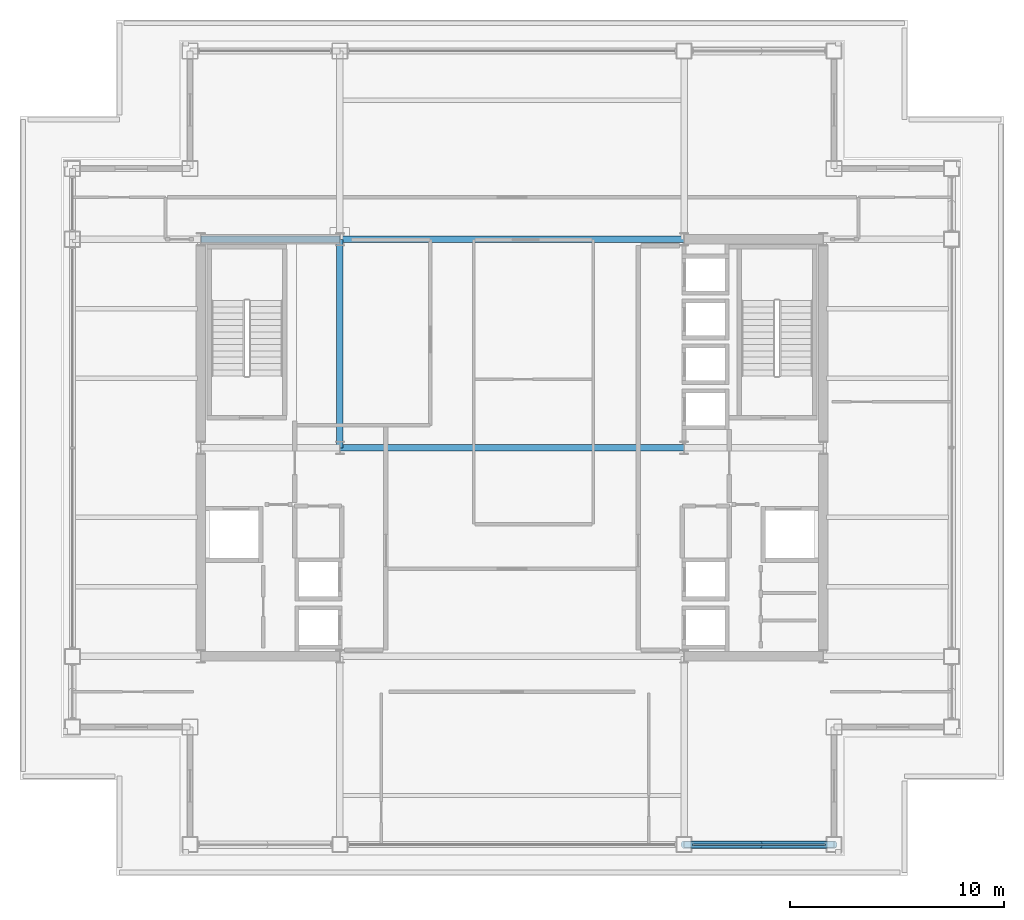
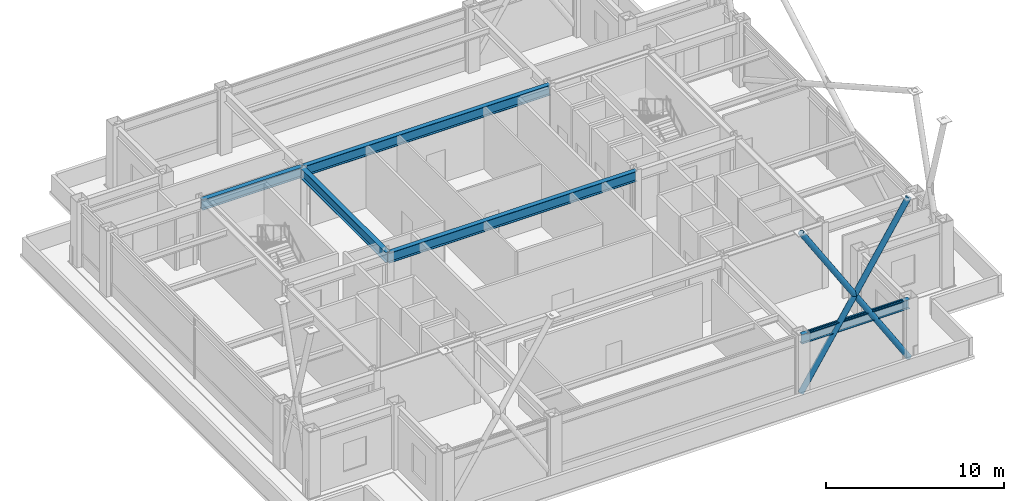
# One storey, part 9 of 24: 5 beams, 4 members, 1 element without a shape of its own.
"""IFC4 building model written with IfcOpenShell, lengths in metres."""

from ifc_helpers import new_model, si_unit, direction, frame, origin, origin_2d, place, context, subcontext, project, spatial, hollow_rectangle, hollow_circle, i_section, extrude, material, layer, layer_set, material_profile, profile_set, type_object, element, aggregate, save


model = new_model("IFC4")

# Units and contexts
model_context = context("Model", 3, precision=1e-05, world=origin(), true_north=direction((0.0, 1.0)))
body_context = subcontext(model_context, "Body", "Model", "MODEL_VIEW")
ifc_project = project(units=[si_unit("LENGTHUNIT", "METRE"), si_unit("AREAUNIT", "SQUARE_METRE"), si_unit("VOLUMEUNIT", "CUBIC_METRE"), si_unit("PLANEANGLEUNIT", "RADIAN"), si_unit("MASSUNIT", "GRAM", prefix="KILO")], contexts=[model_context])

# Site, building, storey
site_placement = place(None, origin())
site = spatial("IfcSite", under=ifc_project, at=site_placement, CompositionType="ELEMENT")
building_placement = place(site_placement, origin())
building = spatial("IfcBuilding", under=site, at=building_placement, Name="Brelmoor Portico Tower", CompositionType="ELEMENT")
storey_placement = place(building_placement, frame((0.0, 0.0, 150.60009765625)))
storey = spatial("IfcBuildingStorey", under=building, at=storey_placement, Name="L39", CompositionType="ELEMENT", Elevation=150.60009765625)

# Beams
ifc_material_1 = material(Name="Steel Q355B", Category="steel")
ifc_material_profile_1 = material_profile(ifc_material_1, i_section(OverallWidth=0.300048828125, OverallDepth=0.699951171875, WebThickness=0.012939453125, FlangeThickness=0.02392578125, at=origin_2d()), Name="HN 700x300x13x24")
ifc_profile_set_1 = profile_set([ifc_material_profile_1], Name="Steel Q355B")
beam_type_1 = type_object("IfcBeamType", Name="BM-PG-700", PredefinedType="BEAM", material=ifc_profile_set_1)
beam_1_placement = place(storey_placement, frame((-8.050048828125, 0.0, 3.949951171875), z_axis=(0.0, 1.0, 0.0), x_axis=(-1.0, 0.0, 0.0)))
element("IfcBeam", 1, at=beam_1_placement, inside=storey, type_object=beam_type_1, Name="L39 Primary Floor Girder PG-04", PredefinedType="BEAM", context=body_context, shape_type="SweptSolid", body=[
    extrude(i_section(OverallWidth=0.300048828125, OverallDepth=0.699951171875, WebThickness=0.012939453125, FlangeThickness=0.02392578125, at=origin_2d()), origin(), (0.0, 0.0, 1.0), 9.75),
])
beam_2_placement = place(storey_placement, frame((-8.050048828125, 0.0, 3.949951171875), z_axis=(1.0, 0.0, 0.0), x_axis=(0.0, 1.0, 0.0)))
element("IfcBeam", 2, at=beam_2_placement, inside=storey, type_object=beam_type_1, Name="L39 Primary Floor Girder PG-16", PredefinedType="BEAM", context=body_context, shape_type="SweptSolid", body=[
    extrude(i_section(OverallWidth=0.300048828125, OverallDepth=0.699951171875, WebThickness=0.012939453125, FlangeThickness=0.02392578125, at=origin_2d()), origin(), (0.0, 0.0, 1.0), 16.10009765625),
])
beam_3_placement = place(storey_placement, frame((-14.550048828125, 9.75, 3.949951171875), z_axis=(1.0, 0.0, 0.0), x_axis=(0.0, 1.0, 0.0)))
element("IfcBeam", 3, at=beam_3_placement, inside=storey, type_object=beam_type_1, Name="L39 Primary Floor Girder PG-19", PredefinedType="BEAM", context=body_context, shape_type="SweptSolid", body=[
    extrude(i_section(OverallWidth=0.300048828125, OverallDepth=0.699951171875, WebThickness=0.012939453125, FlangeThickness=0.02392578125, at=origin_2d()), origin(), (0.0, 0.0, 1.0), 6.5),
])
beam_4_placement = place(storey_placement, frame((-8.050048828125, 9.75, 3.949951171875), z_axis=(1.0, 0.0, 0.0), x_axis=(0.0, 1.0, 0.0)))
element("IfcBeam", 4, at=beam_4_placement, inside=storey, type_object=beam_type_1, Name="L39 Primary Floor Girder PG-20", PredefinedType="BEAM", context=body_context, shape_type="SweptSolid", body=[
    extrude(i_section(OverallWidth=0.300048828125, OverallDepth=0.699951171875, WebThickness=0.012939453125, FlangeThickness=0.02392578125, at=origin_2d()), origin(), (0.0, 0.0, 1.0), 16.10009765625),
])
ifc_material_profile_2 = material_profile(ifc_material_1, i_section(OverallWidth=0.280029296875, OverallDepth=0.64990234375, WebThickness=0.012939453125, FlangeThickness=0.02197265625, at=origin_2d()), Name="HN 650x280x13x22")
ifc_profile_set_2 = profile_set([ifc_material_profile_2], Name="Steel Q355B")
beam_type_2 = type_object("IfcBeamType", Name="BM-SP-650", PredefinedType="SPANDREL", material=ifc_profile_set_2)
beam_5_placement = place(storey_placement, frame((8.050048828125, -18.550048828125, 3.974853515625), z_axis=(1.0, 0.0, 0.0), x_axis=(0.0, 1.0, 0.0)))
element("IfcBeam", 5, at=beam_5_placement, inside=storey, type_object=beam_type_2, Name="L39 Perimeter Spandrel Beam SP-03", PredefinedType="SPANDREL", context=body_context, shape_type="SweptSolid", body=[
    extrude(i_section(OverallWidth=0.280029296875, OverallDepth=0.64990234375, WebThickness=0.012939453125, FlangeThickness=0.02197265625, at=origin_2d()), origin(), (0.0, 0.0, 1.0), 7.0),
])

# Members
ifc_material_profile_3 = material_profile(ifc_material_1, hollow_circle(Radius=0.177978515625, WallThickness=0.01611328125, at=origin_2d()), Name="CHS 356x16")
ifc_profile_set_3 = profile_set([ifc_material_profile_3], Name="Steel Q355B")
member_type_1 = type_object("IfcMemberType", Name="MB-BELT-DIAG2", PredefinedType="BRACE", material=ifc_profile_set_3)
member_1_placement = place(storey_placement, frame((8.050048828125, -18.550048828125, 0.25), z_axis=(0.536875492193, 0.0, 0.843661487732), x_axis=(0.0, 1.0, 0.0)))
element("IfcMember", 6, at=member_1_placement, inside=storey, type_object=member_type_1, Name="L39 Continuous Mega-X Brace 085A", PredefinedType="BRACE", context=body_context, shape_type="SweptSolid", body=[
    extrude(hollow_circle(Radius=0.177978515625, WallThickness=0.01611328125, at=origin_2d()), origin(), (0.0, 0.0, 1.0), 13.038330078125),
])
for number, where, z_axis, x_axis, name in (
    (7, (15.050048828125, -18.550048828125, 0.25), (-0.536875492193, 0.0, 0.843661487732), (0.0, -1.0, 0.0), "L39 Split Mega-X Brace 085B1"),
    (8, (11.550048828125, -18.550048828125, 5.75), (-0.536875492193, 0.0, 0.843661487732), (0.0, -1.0, 0.0), "L39 Split Mega-X Brace 085B2"),
):
    element("IfcMember", number, at=place(storey_placement, frame(where, z_axis=z_axis, x_axis=x_axis)), inside=storey, type_object=member_type_1, Name=name, PredefinedType="BRACE", context=body_context, shape_type="SweptSolid", body=[
        extrude(hollow_circle(Radius=0.177978515625, WallThickness=0.01611328125, at=origin_2d()), origin(), (0.0, 0.0, 1.0), 6.519287109375),
    ])

# Curtain wall, member
ifc_material_2 = material(Name="Anodised Aluminium Alloy 6063-T6", Category="aluminium")
ifc_layer = layer(ifc_material_2, 0.179931640625)
ifc_layer_set = layer_set([ifc_layer], Name="Anodised Aluminium Alloy 6063-T6")
curtain_wall_type = type_object("IfcCurtainWallType", Name="CW-SKYLOBBY-XB", PredefinedType="NOTDEFINED", material=ifc_layer_set)
curtain_wall_placement = place(storey_placement, origin())
curtain_wall = element("IfcCurtainWall", 9, at=curtain_wall_placement, inside=storey, type_object=curtain_wall_type, Name="L39 Curtain Wall CW-L39-01-3", PredefinedType="NOTDEFINED")
ifc_material_profile_4 = material_profile(ifc_material_2, hollow_rectangle(XDim=0.070068359375, YDim=0.159912109375, WallThickness=0.00390625, at=origin_2d()), Name="ALU TRANSOM 70x160")
ifc_profile_set_4 = profile_set([ifc_material_profile_4], Name="Anodised Aluminium Alloy 6063-T6")
member_type_2 = type_object("IfcMemberType", Name="MB-CW-TRAN-160", PredefinedType="USERDEFINED", material=ifc_profile_set_4)
member_2_placement = place(storey_placement, frame((8.43505859375, -18.550048828125, 4.219970703125), z_axis=(1.0, 0.0, 0.0), x_axis=(0.0, 1.0, 0.0)))
member_2 = element("IfcMember", 10, at=member_2_placement, type_object=member_type_2, Name="CW-L39-01-3 Transom 1-00", ObjectType="TRANSOM", PredefinedType="USERDEFINED", context=body_context, shape_type="SweptSolid", body=[
    extrude(hollow_rectangle(XDim=0.070068359375, YDim=0.159912109375, WallThickness=0.00390625, at=origin_2d()), origin(), (0.0, 0.0, 1.0), 6.22998046875),
])
aggregate(curtain_wall, [member_2])

save(model, "model.ifc")
